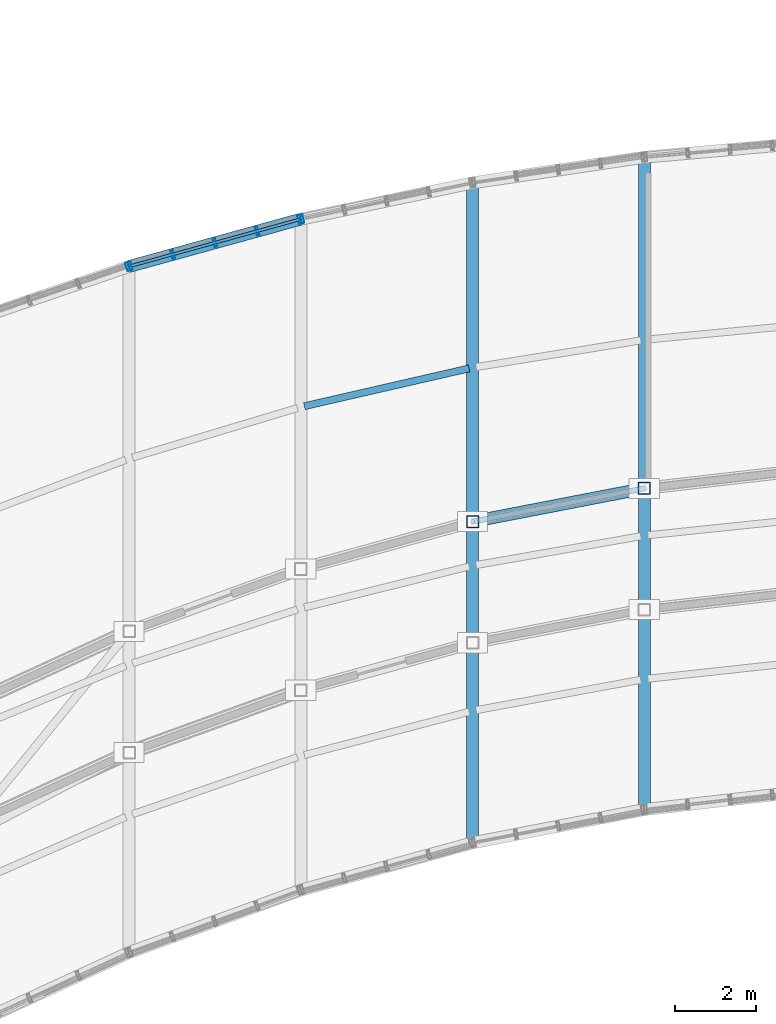
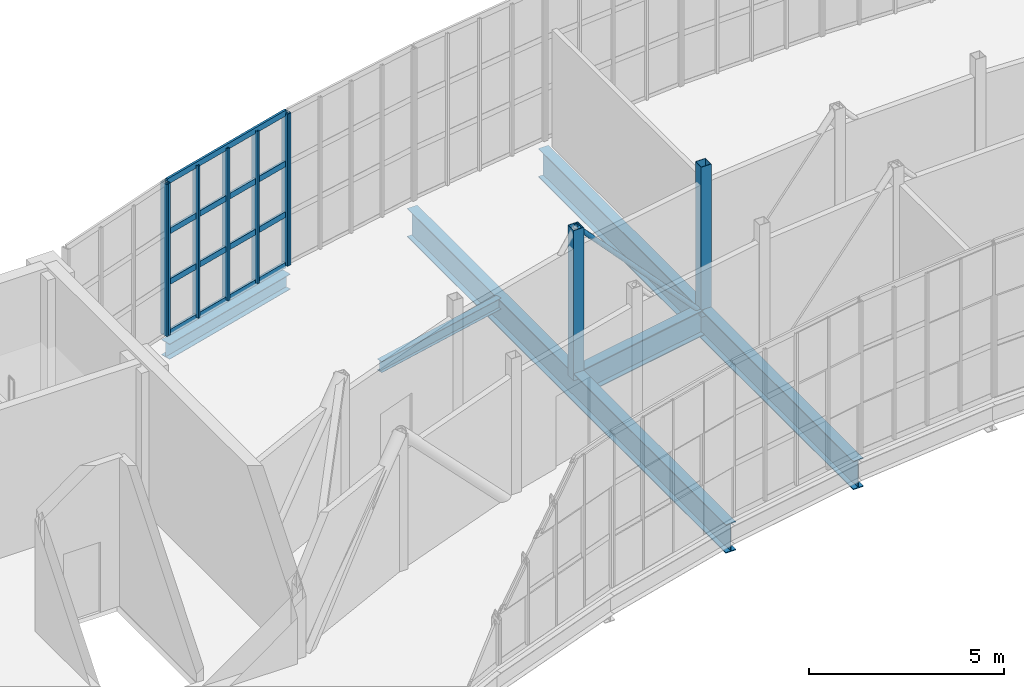
# One storey, part 24 of 66: 14 members, 5 beams, 3 elements without a shape of their own.
"""IFC4 building model written with IfcOpenShell, lengths in metres."""

from ifc_helpers import new_model, si_unit, direction, frame, origin, origin_2d, place, context, subcontext, project, spatial, hollow_rectangle, hollow_circle, i_section, extrude, material, material_profile, profile_set, type_object, element, aggregate, save


model = new_model("IFC4")

# Units and contexts
model_context = context("Model", 3, precision=1e-05, world=origin(), true_north=direction((0.0, 1.0)))
body_context = subcontext(model_context, "Body", "Model", "MODEL_VIEW")
ifc_project = project(units=[si_unit("LENGTHUNIT", "METRE"), si_unit("AREAUNIT", "SQUARE_METRE"), si_unit("VOLUMEUNIT", "CUBIC_METRE"), si_unit("PLANEANGLEUNIT", "RADIAN"), si_unit("MASSUNIT", "GRAM", prefix="KILO")], contexts=[model_context])

# Site, building, storey
site_placement = place(None, origin())
site = spatial("IfcSite", under=ifc_project, at=site_placement, CompositionType="ELEMENT")
building_placement = place(site_placement, origin())
building = spatial("IfcBuilding", under=site, at=building_placement, Name="Solvikara Media Centre", CompositionType="ELEMENT")
storey_placement = place(building_placement, frame((0.0, 0.0, 19.800048828125)))
storey = spatial("IfcBuildingStorey", under=building, at=storey_placement, Name="L04", CompositionType="ELEMENT", Elevation=19.800048828125)

# Beams
ifc_material_1 = material(Name="Steel S355JR", Category="steel")
ifc_material_profile_1 = material_profile(ifc_material_1, i_section(OverallWidth=0.300048828125, OverallDepth=0.89990234375, WebThickness=0.01611328125, FlangeThickness=0.028076171875, at=origin_2d()), Name="WF 900x300x16x28")
ifc_profile_set_1 = profile_set([ifc_material_profile_1], Name="Steel S355JR")
beam_type_1 = type_object("IfcBeamType", Name="BM-15", PredefinedType="BEAM", material=ifc_profile_set_1)
beam_1_placement = place(storey_placement, frame((89.25, 23.99609375, -0.672119140625), z_axis=(0.0, 1.0, 0.0), x_axis=(-1.0, 0.0, 0.0)))
element("IfcBeam", 1, at=beam_1_placement, inside=storey, type_object=beam_type_1, Name="BG-L04-NS-03", PredefinedType="BEAM", context=body_context, shape_type="SweptSolid", body=[
    extrude(i_section(OverallWidth=0.300048828125, OverallDepth=0.89990234375, WebThickness=0.01611328125, FlangeThickness=0.028076171875, at=origin_2d()), origin(), (0.0, 0.0, 1.0), 16.3330078125),
])
beam_2_placement = place(storey_placement, frame((93.5, 24.818115234375, -0.672119140625), z_axis=(0.0, 1.0, 0.0), x_axis=(-1.0, 0.0, 0.0)))
element("IfcBeam", 2, at=beam_2_placement, inside=storey, type_object=beam_type_1, Name="BG-L04-NS-04", PredefinedType="BEAM", context=body_context, shape_type="SweptSolid", body=[
    extrude(i_section(OverallWidth=0.300048828125, OverallDepth=0.89990234375, WebThickness=0.01611328125, FlangeThickness=0.028076171875, at=origin_2d()), origin(), (0.0, 0.0, 1.0), 16.14599609375),
])
ifc_material_profile_2 = material_profile(ifc_material_1, i_section(OverallWidth=0.300048828125, OverallDepth=0.800048828125, WebThickness=0.013916015625, FlangeThickness=0.02587890625, at=origin_2d()), Name="WF 800x300x14x26")
ifc_profile_set_2 = profile_set([ifc_material_profile_2], Name="Steel S355JR")
beam_type_2 = type_object("IfcBeamType", Name="BM-16", PredefinedType="BEAM", material=ifc_profile_set_2)
beam_3_placement = place(storey_placement, frame((89.337890625, 31.962890625, -0.6220703125), z_axis=(0.981801087979, 0.189912147171, 0.0), x_axis=(-0.189912147171, 0.981801087979, 0.0)))
element("IfcBeam", 3, at=beam_3_placement, inside=storey, type_object=beam_type_2, Name="B-L04-SPNN-03", PredefinedType="BEAM", context=body_context, shape_type="SweptSolid", body=[
    extrude(i_section(OverallWidth=0.300048828125, OverallDepth=0.800048828125, WebThickness=0.013916015625, FlangeThickness=0.02587890625, at=origin_2d()), origin(), (0.0, 0.0, 1.0), 4.149658203125),
])
ifc_material_profile_3 = material_profile(ifc_material_1, i_section(OverallWidth=0.175048828125, OverallDepth=0.35009765625, WebThickness=0.007080078125, FlangeThickness=0.010986328125, at=origin_2d()), Name="WF 350x175x7x11")
ifc_profile_set_3 = profile_set([ifc_material_profile_3], Name="Steel S355JR")
beam_type_3 = type_object("IfcBeamType", Name="BM-22", PredefinedType="JOIST", material=ifc_profile_set_3)
beam_4_placement = place(storey_placement, frame((85.087890625, 34.801025390625, -0.39697265625), z_axis=(0.974660207056, 0.223690591624, 0.0), x_axis=(-0.223690591624, 0.974660207056, 0.0)))
element("IfcBeam", 4, at=beam_4_placement, inside=storey, type_object=beam_type_3, Name="BJ-L04-02-72", PredefinedType="JOIST", context=body_context, shape_type="SweptSolid", body=[
    extrude(i_section(OverallWidth=0.175048828125, OverallDepth=0.35009765625, WebThickness=0.007080078125, FlangeThickness=0.010986328125, at=origin_2d()), origin(), (0.0, 0.0, 1.0), 4.18017578125),
])
ifc_material_profile_4 = material_profile(ifc_material_1, i_section(OverallWidth=0.300048828125, OverallDepth=0.48193359375, WebThickness=0.010986328125, FlangeThickness=0.014892578125, at=origin_2d()), Name="WF 482x300x11x15")
ifc_profile_set_4 = profile_set([ifc_material_profile_4], Name="Steel S355JR")
beam_type_4 = type_object("IfcBeamType", Name="BM-32", PredefinedType="SPANDREL", material=ifc_profile_set_4)
beam_5_placement = place(storey_placement, frame((80.75, 38.260009765625, -0.463134765625), z_axis=(0.964080686077, 0.265609545636, 0.0), x_axis=(-0.265609545636, 0.964080686077, 0.0)))
element("IfcBeam", 5, at=beam_5_placement, inside=storey, type_object=beam_type_4, Name="B-L04-NARC-01", PredefinedType="SPANDREL", context=body_context, shape_type="SweptSolid", body=[
    extrude(i_section(OverallWidth=0.300048828125, OverallDepth=0.48193359375, WebThickness=0.010986328125, FlangeThickness=0.014892578125, at=origin_2d()), origin(), (0.0, 0.0, 1.0), 4.408447265625),
])

# Members
ifc_material_profile_5 = material_profile(ifc_material_1, hollow_circle(Radius=0.06982421875, WallThickness=0.00634765625, at=origin_2d()), Name="CHS 139.7x6.3")
ifc_profile_set_5 = profile_set([ifc_material_profile_5], Name="Steel S355JR")
member_type_1 = type_object("IfcMemberType", Name="MB-08", PredefinedType="BRACE", material=ifc_profile_set_5)
member_1_placement = place(storey_placement, frame((89.25, 31.946044921875, 4.25), z_axis=(0.665137067971, 0.128648696453, -0.735555704016), x_axis=(-0.189897396029, 0.981803941213, 0.0)))
element("IfcMember", 6, at=member_1_placement, inside=storey, type_object=member_type_1, Name="WTR-L04-N-DB03", PredefinedType="BRACE", context=body_context, shape_type="SweptSolid", body=[
    extrude(hollow_circle(Radius=0.06982421875, WallThickness=0.00634765625, at=origin_2d()), origin(), (0.0, 0.0, 1.0), 6.3896484375),
])
ifc_material_profile_6 = material_profile(ifc_material_1, hollow_rectangle(XDim=0.300048828125, YDim=0.300048828125, WallThickness=0.012451171875, at=origin_2d()), Name="RHS 300x300x12.5")
ifc_profile_set_6 = profile_set([ifc_material_profile_6], Name="Steel S355JR")
member_type_2 = type_object("IfcMemberType", Name="MB-11", PredefinedType="CHORD", material=ifc_profile_set_6)
for number, where, z_axis, x_axis, name in (
    (7, (89.25, 31.946044921875, -0.449951171875), (0.0, 0.0, 1.0), (1.0, 0.0, 0.0), "WTR-L04-N-V03"),
    (8, (93.5, 32.76806640625, -0.449951171875), (0.0, 0.0, 1.0), (1.0, 0.0, 0.0), "WTR-L04-N-V04"),
):
    element("IfcMember", number, at=place(storey_placement, frame(where, z_axis=z_axis, x_axis=x_axis)), inside=storey, type_object=member_type_2, Name=name, PredefinedType="CHORD", context=body_context, shape_type="SweptSolid", body=[
        extrude(hollow_rectangle(XDim=0.300048828125, YDim=0.300048828125, WallThickness=0.012451171875, at=origin_2d()), origin(), (0.0, 0.0, 1.0), 4.699951171875),
    ])

# Curtain wall, member
ifc_material_2 = material(Name="Anodised aluminium EN AW-6063", Category="aluminium")
curtain_wall_type = type_object("IfcCurtainWallType", Name="CW-02", PredefinedType="NOTDEFINED", material=ifc_material_2)
curtain_wall_1_placement = place(storey_placement, origin())
curtain_wall_1 = element("IfcCurtainWall", 9, at=curtain_wall_1_placement, inside=storey, type_object=curtain_wall_type, Name="CW-L04-NARC-00", PredefinedType="NOTDEFINED")
ifc_material_profile_7 = material_profile(ifc_material_2, hollow_rectangle(XDim=0.06494140625, YDim=0.219970703125, WallThickness=0.00390625, at=origin_2d()), Name="ALU-M 65x220x4")
ifc_profile_set_7 = profile_set([ifc_material_profile_7], Name="Anodised aluminium EN AW-6063")
member_type_3 = type_object("IfcMemberType", Name="MF-01", PredefinedType="MULLION", material=ifc_profile_set_7)
member_2_placement = place(storey_placement, frame((80.717041015625, 38.2490234375, 0.02001953125), z_axis=(0.0, 0.0, 1.0), x_axis=(0.945717277442, 0.324990509319, 0.0)))
member_2 = element("IfcMember", 10, at=member_2_placement, type_object=member_type_3, Name="CW-L04-NARC-00-M03", PredefinedType="MULLION", context=body_context, shape_type="SweptSolid", body=[
    extrude(hollow_rectangle(XDim=0.06494140625, YDim=0.219970703125, WallThickness=0.00390625, at=origin_2d()), origin(), (0.0, 0.0, 1.0), 4.760009765625),
])
aggregate(curtain_wall_1, [member_2])

# Curtain wall, members
curtain_wall_2_placement = place(storey_placement, origin())
curtain_wall_2 = element("IfcCurtainWall", 11, at=curtain_wall_2_placement, inside=storey, type_object=curtain_wall_type, Name="CW-L04-NARC-01", PredefinedType="NOTDEFINED")
member_3_placement = place(storey_placement, frame((80.783935546875, 38.26904296875, 0.02001953125), z_axis=(0.0, 0.0, 1.0), x_axis=(0.964030487854, 0.265791682504, 0.0)))
member_3 = element("IfcMember", 12, at=member_3_placement, type_object=member_type_3, Name="CW-L04-NARC-01-M00", PredefinedType="MULLION", context=body_context, shape_type="SweptSolid", body=[
    extrude(hollow_rectangle(XDim=0.06494140625, YDim=0.219970703125, WallThickness=0.00390625, at=origin_2d()), origin(), (0.0, 0.0, 1.0), 4.760009765625),
])
member_4_placement = place(storey_placement, frame((81.830078125, 38.556884765625, 0.02001953125), z_axis=(0.0, 0.0, 1.0), x_axis=(0.964030487854, 0.265791682504, 0.0)))
member_4 = element("IfcMember", 13, at=member_4_placement, type_object=member_type_3, Name="CW-L04-NARC-01-M01", PredefinedType="MULLION", context=body_context, shape_type="SweptSolid", body=[
    extrude(hollow_rectangle(XDim=0.06494140625, YDim=0.219970703125, WallThickness=0.00390625, at=origin_2d()), origin(), (0.0, 0.0, 1.0), 4.760009765625),
])
member_5_placement = place(storey_placement, frame((82.875, 38.844970703125, 0.02001953125), z_axis=(0.0, 0.0, 1.0), x_axis=(0.964030487854, 0.265791682504, 0.0)))
member_5 = element("IfcMember", 14, at=member_5_placement, type_object=member_type_3, Name="CW-L04-NARC-01-M02", PredefinedType="MULLION", context=body_context, shape_type="SweptSolid", body=[
    extrude(hollow_rectangle(XDim=0.06494140625, YDim=0.219970703125, WallThickness=0.00390625, at=origin_2d()), origin(), (0.0, 0.0, 1.0), 4.760009765625),
])
member_6_placement = place(storey_placement, frame((83.9208984375, 39.134033203125, 0.02001953125), z_axis=(0.0, 0.0, 1.0), x_axis=(0.964030487854, 0.265791682504, 0.0)))
member_6 = element("IfcMember", 15, at=member_6_placement, type_object=member_type_3, Name="CW-L04-NARC-01-M03", PredefinedType="MULLION", context=body_context, shape_type="SweptSolid", body=[
    extrude(hollow_rectangle(XDim=0.06494140625, YDim=0.219970703125, WallThickness=0.00390625, at=origin_2d()), origin(), (0.0, 0.0, 1.0), 4.760009765625),
])
member_7_placement = place(storey_placement, frame((84.966064453125, 39.422119140625, 0.02001953125), z_axis=(0.0, 0.0, 1.0), x_axis=(0.964030487854, 0.265791682504, 0.0)))
member_7 = element("IfcMember", 16, at=member_7_placement, type_object=member_type_3, Name="CW-L04-NARC-01-M04", PredefinedType="MULLION", context=body_context, shape_type="SweptSolid", body=[
    extrude(hollow_rectangle(XDim=0.06494140625, YDim=0.219970703125, WallThickness=0.00390625, at=origin_2d()), origin(), (0.0, 0.0, 1.0), 4.760009765625),
])

# Curtain wall, member
curtain_wall_3_placement = place(storey_placement, origin())
curtain_wall_3 = element("IfcCurtainWall", 17, at=curtain_wall_3_placement, inside=storey, type_object=curtain_wall_type, Name="CW-L04-NARC-02", PredefinedType="NOTDEFINED")
member_8_placement = place(storey_placement, frame((85.033935546875, 39.43798828125, 0.02001953125), z_axis=(0.0, 0.0, 1.0), x_axis=(0.97837923005, 0.206818959981, 0.0)))
member_8 = element("IfcMember", 18, at=member_8_placement, type_object=member_type_3, Name="CW-L04-NARC-02-M00", PredefinedType="MULLION", context=body_context, shape_type="SweptSolid", body=[
    extrude(hollow_rectangle(XDim=0.06494140625, YDim=0.219970703125, WallThickness=0.00390625, at=origin_2d()), origin(), (0.0, 0.0, 1.0), 4.760009765625),
])
aggregate(curtain_wall_3, [member_8])

# Member
ifc_material_profile_8 = material_profile(ifc_material_2, hollow_rectangle(XDim=0.06494140625, YDim=0.179931640625, WallThickness=0.00341796875, at=origin_2d()), Name="ALU-T 65x180x3.5")
ifc_profile_set_8 = profile_set([ifc_material_profile_8], Name="Anodised aluminium EN AW-6063")
member_type_4 = type_object("IfcMemberType", Name="MF-07", PredefinedType="USERDEFINED", material=ifc_profile_set_8)
member_9_placement = place(storey_placement, frame((80.783935546875, 38.26904296875, 0.02001953125), z_axis=(0.96402892513, 0.265797350461, 0.0), x_axis=(-0.265797350461, 0.96402892513, 0.0)))
member_9 = element("IfcMember", 19, at=member_9_placement, type_object=member_type_4, Name="CW-L04-NARC-01-T00", ObjectType="TRANSOM", PredefinedType="USERDEFINED", context=body_context, shape_type="SweptSolid", body=[
    extrude(hollow_rectangle(XDim=0.06494140625, YDim=0.179931640625, WallThickness=0.00341796875, at=origin_2d()), origin(), (0.0, 0.0, 1.0), 4.338134765625),
])

member_10_placement = place(storey_placement, frame((80.783935546875, 38.26904296875, 1.60693359375), z_axis=(0.96402892513, 0.265797350461, 0.0), x_axis=(-0.265797350461, 0.96402892513, 0.0)))
member_10 = element("IfcMember", 20, at=member_10_placement, type_object=member_type_4, Name="CW-L04-NARC-01-T01", ObjectType="TRANSOM", PredefinedType="USERDEFINED", context=body_context, shape_type="SweptSolid", body=[
    extrude(hollow_rectangle(XDim=0.06494140625, YDim=0.179931640625, WallThickness=0.00341796875, at=origin_2d()), origin(), (0.0, 0.0, 1.0), 4.338134765625),
])

member_11_placement = place(storey_placement, frame((80.783935546875, 38.26904296875, 3.19287109375), z_axis=(0.96402892513, 0.265797350461, 0.0), x_axis=(-0.265797350461, 0.96402892513, 0.0)))
member_11 = element("IfcMember", 21, at=member_11_placement, type_object=member_type_4, Name="CW-L04-NARC-01-T02", ObjectType="TRANSOM", PredefinedType="USERDEFINED", context=body_context, shape_type="SweptSolid", body=[
    extrude(hollow_rectangle(XDim=0.06494140625, YDim=0.179931640625, WallThickness=0.00341796875, at=origin_2d()), origin(), (0.0, 0.0, 1.0), 4.338134765625),
])

member_12_placement = place(storey_placement, frame((80.783935546875, 38.26904296875, 4.780029296875), z_axis=(0.96402892513, 0.265797350461, 0.0), x_axis=(-0.265797350461, 0.96402892513, 0.0)))
member_12 = element("IfcMember", 22, at=member_12_placement, type_object=member_type_4, Name="CW-L04-NARC-01-T03", ObjectType="TRANSOM", PredefinedType="USERDEFINED", context=body_context, shape_type="SweptSolid", body=[
    extrude(hollow_rectangle(XDim=0.06494140625, YDim=0.179931640625, WallThickness=0.00341796875, at=origin_2d()), origin(), (0.0, 0.0, 1.0), 4.338134765625),
])

aggregate(curtain_wall_2, [member_3, member_4, member_5, member_6, member_7, member_9, member_10, member_11, member_12])

save(model, "model.ifc")
